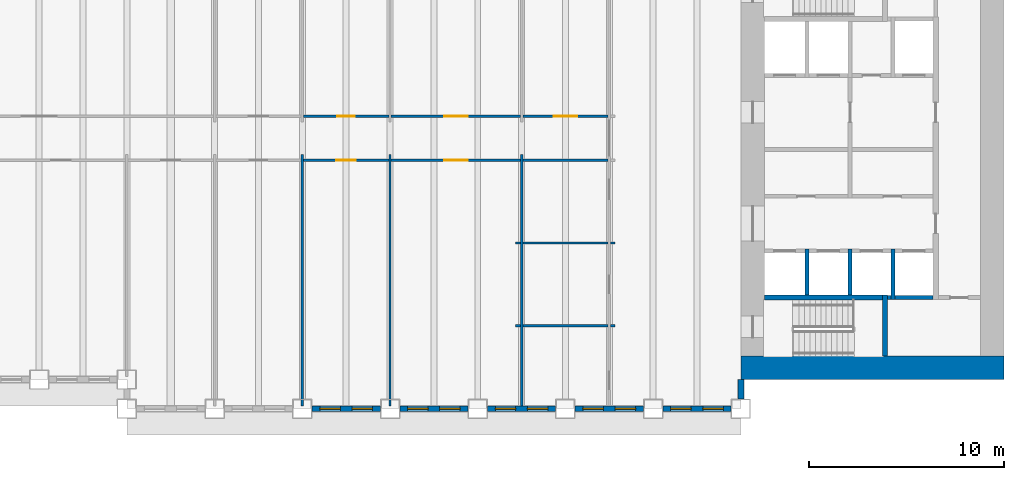
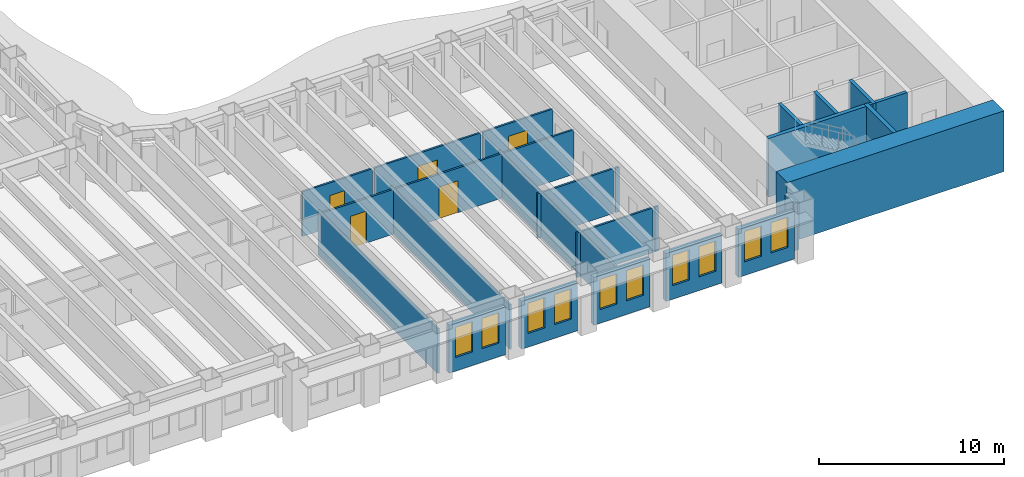
# One storey, part 5 of 16: 29 walls, 10 windows, 5 doors, 15 openings.
"""IFC4 building model written with IfcOpenShell, lengths in metres."""

from ifc_helpers import new_model, si_unit, direction, frame, frame_2d, origin, place, context, subcontext, project, spatial, rectangle, extrude, material, layer, layer_set, type_object, element, fill, save


model = new_model("IFC4")

# Units and contexts
model_context = context("Model", 3, precision=1e-05, world=origin(), true_north=direction((0.0, 1.0)))
body_context = subcontext(model_context, "Body", "Model", "MODEL_VIEW")
ifc_project = project(units=[si_unit("LENGTHUNIT", "METRE"), si_unit("AREAUNIT", "SQUARE_METRE"), si_unit("VOLUMEUNIT", "CUBIC_METRE"), si_unit("PLANEANGLEUNIT", "RADIAN"), si_unit("MASSUNIT", "GRAM", prefix="KILO")], contexts=[model_context])

# Site, building, storey
site_placement = place(None, origin())
site = spatial("IfcSite", under=ifc_project, at=site_placement, CompositionType="ELEMENT")
building_placement = place(site_placement, origin())
building = spatial("IfcBuilding", under=site, at=building_placement, Name="Sennacour Bend Tower", CompositionType="ELEMENT")
storey_placement = place(building_placement, frame((0.0, 0.0, 83.0)))
storey = spatial("IfcBuildingStorey", under=building, at=storey_placement, Name="L18", CompositionType="ELEMENT", Elevation=83.0)

# Walls
ifc_material_1 = material(Name="Concrete C80/95", Category="concrete")
ifc_layer_1 = layer(ifc_material_1, 1.199951171875, Name="Concrete C80/95", Category="concrete")
ifc_layer_set_1 = layer_set([ifc_layer_1], Name="Concrete C80/95")
wall_type_1 = type_object("IfcWallType", Name="Core wall 1200 C80/95", PredefinedType="SHEAR", material=ifc_layer_set_1)
wall_1_placement = place(storey_placement, frame((67.5, 0.60009765625, -0.14990234375), z_axis=(0.0, 0.0, 1.0), x_axis=(-1.0, 0.0, 0.0)))
element("IfcWall", 1, at=wall_1_placement, inside=storey, type_object=wall_type_1, Name="Core A wall L18 S", PredefinedType="SHEAR", context=body_context, shape_type="SweptSolid", body=[
    extrude(rectangle(XDim=13.5, YDim=1.199951171875, at=frame_2d((6.75, 0.0))), origin(), (0.0, 0.0, 1.0), 4.0),
])
ifc_material_2 = material(Name="Plasterboard partition on steel studs", Category="steel")
ifc_layer_2 = layer(ifc_material_2, 0.1201171875, Name="Plasterboard partition on steel studs", Category="steel")
ifc_layer_set_2 = layer_set([ifc_layer_2], Name="Plasterboard partition on steel studs")
wall_type_2 = type_object("IfcWallType", Name="Partition 120", PredefinedType="PARTITIONING", material=ifc_layer_set_2)
for number, where, z_axis, x_axis, name in (
    (2, (31.5, -1.35009765625, 0.0), (0.0, 0.0, 1.0), (0.0, 1.0, 0.0), "P-L18-W028a"),
    (3, (36.0, -1.35009765625, 0.0), (0.0, 0.0, 1.0), (0.0, 1.0, 0.0), "P-L18-W030a"),
    (4, (42.75, -1.35009765625, 0.0), (0.0, 0.0, 1.0), (0.0, 1.0, 0.0), "P-L18-W032a"),
):
    element("IfcWall", number, at=place(storey_placement, frame(where, z_axis=z_axis, x_axis=x_axis)), inside=storey, type_object=wall_type_2, Name=name, PredefinedType="PARTITIONING", context=body_context, shape_type="SweptSolid", body=[
        extrude(rectangle(XDim=12.900146484375, YDim=0.1201171875, at=frame_2d((6.4501953125, 0.0))), origin(), (0.0, 0.0, 1.0), 2.93798828125),
    ])
wall_2_placement = place(storey_placement, frame((42.449951171875, 2.75, 0.0), z_axis=(0.0, 0.0, 1.0), x_axis=(1.0, 0.0, 0.0)))
element("IfcWall", 5, at=wall_2_placement, inside=storey, type_object=wall_type_2, Name="P-L18-W049aa", PredefinedType="PARTITIONING", context=body_context, shape_type="SweptSolid", body=[
    extrude(rectangle(XDim=0.239990234375, YDim=0.1201171875, at=frame_2d((0.1201171875, 0.0))), origin(), (0.0, 0.0, 1.0), 2.93798828125),
])
wall_3_placement = place(storey_placement, frame((42.81005859375, 2.75, 0.0), z_axis=(0.0, 0.0, 1.0), x_axis=(1.0, 0.0, 0.0)))
element("IfcWall", 6, at=wall_3_placement, inside=storey, type_object=wall_type_2, Name="P-L18-W049ab", PredefinedType="PARTITIONING", context=body_context, shape_type="SweptSolid", body=[
    extrude(rectangle(XDim=4.3798828125, YDim=0.1201171875, at=frame_2d((2.18994140625, 0.0))), origin(), (0.0, 0.0, 1.0), 2.93798828125),
])
for number, where, z_axis, x_axis, name in (
    (7, (47.31005859375, 2.75, 0.0), (0.0, 0.0, 1.0), (1.0, 0.0, 0.0), "P-L18-W049ac"),
    (8, (42.449951171875, 7.0, 0.0), (0.0, 0.0, 1.0), (1.0, 0.0, 0.0), "P-L18-W056aa"),
):
    element("IfcWall", number, at=place(storey_placement, frame(where, z_axis=z_axis, x_axis=x_axis)), inside=storey, type_object=wall_type_2, Name=name, PredefinedType="PARTITIONING", context=body_context, shape_type="SweptSolid", body=[
        extrude(rectangle(XDim=0.239990234375, YDim=0.1201171875, at=frame_2d((0.1201171875, 0.0))), origin(), (0.0, 0.0, 1.0), 2.93798828125),
    ])
wall_4_placement = place(storey_placement, frame((42.81005859375, 7.0, 0.0), z_axis=(0.0, 0.0, 1.0), x_axis=(1.0, 0.0, 0.0)))
element("IfcWall", 9, at=wall_4_placement, inside=storey, type_object=wall_type_2, Name="P-L18-W056ab", PredefinedType="PARTITIONING", context=body_context, shape_type="SweptSolid", body=[
    extrude(rectangle(XDim=4.3798828125, YDim=0.1201171875, at=frame_2d((2.18994140625, 0.0))), origin(), (0.0, 0.0, 1.0), 2.93798828125),
])
wall_5_placement = place(storey_placement, frame((47.31005859375, 7.0, 0.0), z_axis=(0.0, 0.0, 1.0), x_axis=(1.0, 0.0, 0.0)))
element("IfcWall", 10, at=wall_5_placement, inside=storey, type_object=wall_type_2, Name="P-L18-W056ac", PredefinedType="PARTITIONING", context=body_context, shape_type="SweptSolid", body=[
    extrude(rectangle(XDim=0.239990234375, YDim=0.1201171875, at=frame_2d((0.1201171875, 0.0))), origin(), (0.0, 0.0, 1.0), 2.93798828125),
])

# Wall, opening, door
wall_6_placement = place(storey_placement, frame((31.56005859375, 11.25, 0.0), z_axis=(0.0, 0.0, 1.0), x_axis=(1.0, 0.0, 0.0)))
wall_6 = element("IfcWall", 11, at=wall_6_placement, inside=storey, type_object=wall_type_2, Name="P-L18-W058af", PredefinedType="PARTITIONING", context=body_context, shape_type="SweptSolid", body=[
    extrude(rectangle(XDim=4.3798828125, YDim=0.1201171875, at=frame_2d((2.18994140625, 0.0))), origin(), (0.0, 0.0, 1.0), 2.93798828125),
])
opening_1_placement = place(wall_6_placement, frame((1.68994140625, 0.0, 0.0)))
opening_1 = element("IfcOpeningElement", 12, at=opening_1_placement, cuts=wall_6, Name="Opening MD2", PredefinedType="OPENING", context=body_context, shape_type="SweptSolid", body=[
    extrude(rectangle(XDim=1.0, YDim=2.10009765625, at=frame_2d((0.5, 1.050048828125))), frame((0.0, 0.070068359375, 0.0), z_axis=(0.0, -1.0, 0.0), x_axis=(1.0, 0.0, 0.0)), (0.0, 0.0, 1.0), 0.14013671875),
])
ifc_material_3 = material(Name="Timber", Category="wood")
door_type_1 = type_object("IfcDoorType", Name="DR-MEETING-1000", OperationType="NOTDEFINED", PredefinedType="DOOR", material=ifc_material_3)
door_1_placement = place(opening_1_placement, origin())
door_1 = element("IfcDoor", 13, at=door_1_placement, inside=storey, type_object=door_type_1, Name="Door", OperationType="SINGLE_SWING_LEFT", OverallHeight=2.10009765625, OverallWidth=1.0, PredefinedType="DOOR", context=body_context, shape_type="SweptSolid", body=[
    extrude(rectangle(XDim=1.0, YDim=2.10009765625, at=frame_2d((0.5, 1.050048828125))), frame((0.0, 0.02490234375, 0.0), z_axis=(0.0, -1.0, 0.0), x_axis=(1.0, 0.0, 0.0)), (0.0, 0.0, 1.0), 0.050048828125),
])
fill(opening_1, door_1)

wall_7_placement = place(storey_placement, frame((36.06005859375, 11.25, 0.0), z_axis=(0.0, 0.0, 1.0), x_axis=(1.0, 0.0, 0.0)))
wall_7 = element("IfcWall", 14, at=wall_7_placement, inside=storey, type_object=wall_type_2, Name="P-L18-W058ag", PredefinedType="PARTITIONING", context=body_context, shape_type="SweptSolid", body=[
    extrude(rectangle(XDim=6.6298828125, YDim=0.1201171875, at=frame_2d((3.31494140625, 0.0))), origin(), (0.0, 0.0, 1.0), 2.93798828125),
])
opening_2_placement = place(wall_7_placement, frame((2.71484375, 0.0, 0.0)))
opening_2 = element("IfcOpeningElement", 15, at=opening_2_placement, cuts=wall_7, Name="Opening OD", PredefinedType="OPENING", context=body_context, shape_type="SweptSolid", body=[
    extrude(rectangle(XDim=1.199951171875, YDim=2.10009765625, at=frame_2d((0.60009765625, 1.050048828125))), frame((0.0, 0.070068359375, 0.0), z_axis=(0.0, -1.0, 0.0), x_axis=(1.0, 0.0, 0.0)), (0.0, 0.0, 1.0), 0.14013671875),
])
door_type_2 = type_object("IfcDoorType", Name="DR-OFFICE-1200", OperationType="NOTDEFINED", PredefinedType="DOOR", material=ifc_material_3)
door_2_placement = place(opening_2_placement, origin())
door_2 = element("IfcDoor", 16, at=door_2_placement, inside=storey, type_object=door_type_2, Name="Door", OperationType="SINGLE_SWING_LEFT", OverallHeight=2.10009765625, OverallWidth=1.199951171875, PredefinedType="DOOR", context=body_context, shape_type="SweptSolid", body=[
    extrude(rectangle(XDim=1.199951171875, YDim=2.10009765625, at=frame_2d((0.60009765625, 1.050048828125))), frame((0.0, 0.02490234375, 0.0), z_axis=(0.0, -1.0, 0.0), x_axis=(1.0, 0.0, 0.0)), (0.0, 0.0, 1.0), 0.050048828125),
])
fill(opening_2, door_2)

# Wall
wall_8_placement = place(storey_placement, frame((42.81005859375, 11.25, 0.0), z_axis=(0.0, 0.0, 1.0), x_axis=(1.0, 0.0, 0.0)))
element("IfcWall", 17, at=wall_8_placement, inside=storey, type_object=wall_type_2, Name="P-L18-W058ah", PredefinedType="PARTITIONING", context=body_context, shape_type="SweptSolid", body=[
    extrude(rectangle(XDim=4.3798828125, YDim=0.1201171875, at=frame_2d((2.18994140625, 0.0))), origin(), (0.0, 0.0, 1.0), 2.93798828125),
])

# Wall, opening, door
wall_9_placement = place(storey_placement, frame((36.06005859375, 13.5, 0.0), z_axis=(0.0, 0.0, 1.0), x_axis=(1.0, 0.0, 0.0)))
wall_9 = element("IfcWall", 18, at=wall_9_placement, inside=storey, type_object=wall_type_2, Name="P-L18-W060af", PredefinedType="PARTITIONING", context=body_context, shape_type="SweptSolid", body=[
    extrude(rectangle(XDim=6.6298828125, YDim=0.1201171875, at=frame_2d((3.31494140625, 0.0))), origin(), (0.0, 0.0, 1.0), 2.93798828125),
])
opening_3_placement = place(wall_9_placement, frame((2.71484375, 0.0, 0.0)))
opening_3 = element("IfcOpeningElement", 19, at=opening_3_placement, cuts=wall_9, Name="Opening MD", PredefinedType="OPENING", context=body_context, shape_type="SweptSolid", body=[
    extrude(rectangle(XDim=1.199951171875, YDim=2.10009765625, at=frame_2d((0.60009765625, 1.050048828125))), frame((0.0, 0.070068359375, 0.0), z_axis=(0.0, -1.0, 0.0), x_axis=(1.0, 0.0, 0.0)), (0.0, 0.0, 1.0), 0.14013671875),
])
door_type_3 = type_object("IfcDoorType", Name="DR-MEETING-1200", OperationType="NOTDEFINED", PredefinedType="DOOR", material=ifc_material_3)
door_3_placement = place(opening_3_placement, origin())
door_3 = element("IfcDoor", 20, at=door_3_placement, inside=storey, type_object=door_type_3, Name="Door", OperationType="SINGLE_SWING_LEFT", OverallHeight=2.10009765625, OverallWidth=1.199951171875, PredefinedType="DOOR", context=body_context, shape_type="SweptSolid", body=[
    extrude(rectangle(XDim=1.199951171875, YDim=2.10009765625, at=frame_2d((0.60009765625, 1.050048828125))), frame((0.0, 0.02490234375, 0.0), z_axis=(0.0, -1.0, 0.0), x_axis=(1.0, 0.0, 0.0)), (0.0, 0.0, 1.0), 0.050048828125),
])
fill(opening_3, door_3)

wall_10_placement = place(storey_placement, frame((42.81005859375, 13.5, 0.0), z_axis=(0.0, 0.0, 1.0), x_axis=(1.0, 0.0, 0.0)))
wall_10 = element("IfcWall", 21, at=wall_10_placement, inside=storey, type_object=wall_type_2, Name="P-L18-W060ag", PredefinedType="PARTITIONING", context=body_context, shape_type="SweptSolid", body=[
    extrude(rectangle(XDim=4.3798828125, YDim=0.1201171875, at=frame_2d((2.18994140625, 0.0))), origin(), (0.0, 0.0, 1.0), 2.93798828125),
])
opening_4_placement = place(wall_10_placement, frame((1.58984375, 0.0, 0.0)))
opening_4 = element("IfcOpeningElement", 22, at=opening_4_placement, cuts=wall_10, Name="Opening OD", PredefinedType="OPENING", context=body_context, shape_type="SweptSolid", body=[
    extrude(rectangle(XDim=1.199951171875, YDim=2.10009765625, at=frame_2d((0.60009765625, 1.050048828125))), frame((0.0, 0.070068359375, 0.0), z_axis=(0.0, -1.0, 0.0), x_axis=(1.0, 0.0, 0.0)), (0.0, 0.0, 1.0), 0.14013671875),
])
door_4_placement = place(opening_4_placement, origin())
door_4 = element("IfcDoor", 23, at=door_4_placement, inside=storey, type_object=door_type_2, Name="Door", OperationType="SINGLE_SWING_LEFT", OverallHeight=2.10009765625, OverallWidth=1.199951171875, PredefinedType="DOOR", context=body_context, shape_type="SweptSolid", body=[
    extrude(rectangle(XDim=1.199951171875, YDim=2.10009765625, at=frame_2d((0.60009765625, 1.050048828125))), frame((0.0, 0.02490234375, 0.0), z_axis=(0.0, -1.0, 0.0), x_axis=(1.0, 0.0, 0.0)), (0.0, 0.0, 1.0), 0.050048828125),
])
fill(opening_4, door_4)

ifc_layer_3 = layer(ifc_material_2, 0.1201171875, Name="Plasterboard partition on steel studs", Category="steel")
ifc_layer_set_3 = layer_set([ifc_layer_3], Name="Plasterboard partition on steel studs")
wall_type_3 = type_object("IfcWallType", Name="Partition 120 EI 60", PredefinedType="PARTITIONING", material=ifc_layer_set_3)
wall_11_placement = place(storey_placement, frame((31.56005859375, 13.5, 0.0), z_axis=(0.0, 0.0, 1.0), x_axis=(1.0, 0.0, 0.0)))
wall_11 = element("IfcWall", 24, at=wall_11_placement, inside=storey, type_object=wall_type_3, Name="P-L18-W060ae", PredefinedType="PARTITIONING", context=body_context, shape_type="SweptSolid", body=[
    extrude(rectangle(XDim=4.3798828125, YDim=0.1201171875, at=frame_2d((2.18994140625, 0.0))), origin(), (0.0, 0.0, 1.0), 2.93798828125),
])
opening_5_placement = place(wall_11_placement, frame((1.739990234375, 0.0, 0.0)))
opening_5 = element("IfcOpeningElement", 25, at=opening_5_placement, cuts=wall_11, Name="Opening SV", PredefinedType="OPENING", context=body_context, shape_type="SweptSolid", body=[
    extrude(rectangle(XDim=0.89990234375, YDim=2.10009765625, at=frame_2d((0.449951171875, 1.050048828125))), frame((0.0, 0.070068359375, 0.0), z_axis=(0.0, -1.0, 0.0), x_axis=(1.0, 0.0, 0.0)), (0.0, 0.0, 1.0), 0.14013671875),
])
ifc_material_4 = material(Name="Painted steel", Category="steel")
door_type_4 = type_object("IfcDoorType", Name="DR-SERVICE-900", OperationType="NOTDEFINED", PredefinedType="DOOR", material=ifc_material_4)
door_5_placement = place(opening_5_placement, origin())
door_5 = element("IfcDoor", 26, at=door_5_placement, inside=storey, type_object=door_type_4, Name="Door", OperationType="SINGLE_SWING_LEFT", OverallHeight=2.10009765625, OverallWidth=0.89990234375, PredefinedType="DOOR", context=body_context, shape_type="SweptSolid", body=[
    extrude(rectangle(XDim=0.89990234375, YDim=2.10009765625, at=frame_2d((0.449951171875, 1.050048828125))), frame((0.0, 0.02490234375, 0.0), z_axis=(0.0, -1.0, 0.0), x_axis=(1.0, 0.0, 0.0)), (0.0, 0.0, 1.0), 0.050048828125),
])
fill(opening_5, door_5)

# Wall, openings, windows
ifc_material_5 = material(Name="Warm limestone cladding", Category="masonry")
ifc_layer_4 = layer(ifc_material_5, 0.050048828125, Name="Warm limestone cladding", Category="masonry")
ifc_material_6 = material(Name="Precast concrete C40/50", Category="concrete")
ifc_layer_5 = layer(ifc_material_6, 0.25, Name="Precast concrete C40/50", Category="concrete")
ifc_layer_set_4 = layer_set([ifc_layer_4, ifc_layer_5], Name="Precast concrete C40/50 with limestone cladding")
wall_type_4 = type_object("IfcWallType", Name="STONE-CLAD PRECAST SPANDREL 300", PredefinedType="STANDARD", material=ifc_layer_set_4)
wall_12_placement = place(storey_placement, frame((32.0, -1.5, 0.0), z_axis=(0.0, 0.0, 1.0), x_axis=(1.0, 0.0, 0.0)))
wall_12 = element("IfcWall", 27, at=wall_12_placement, inside=storey, type_object=wall_type_4, Name="Stone spandrel and pier wall L18 00.02", PredefinedType="STANDARD", context=body_context, shape_type="SweptSolid", body=[
    extrude(rectangle(XDim=3.5, YDim=0.300048828125, at=frame_2d((1.75, 0.0))), origin(), (0.0, 0.0, 1.0), 3.154052734375),
])
opening_6_placement = place(wall_12_placement, frame((0.39990234375, 0.0, 0.89990234375)))
opening_6 = element("IfcOpeningElement", 28, at=opening_6_placement, cuts=wall_12, Name="Opening W13", PredefinedType="OPENING", context=body_context, shape_type="SweptSolid", body=[
    extrude(rectangle(XDim=1.050048828125, YDim=2.0, at=frame_2d((0.52490234375, 1.0))), frame((0.0, 0.16015625, 0.0), z_axis=(0.0, -1.0, 0.0), x_axis=(1.0, 0.0, 0.0)), (0.0, 0.0, 1.0), 0.320068359375),
])
opening_7_placement = place(wall_12_placement, frame((2.050048828125, 0.0, 0.89990234375)))
opening_7 = element("IfcOpeningElement", 29, at=opening_7_placement, cuts=wall_12, Name="Opening W13", PredefinedType="OPENING", context=body_context, shape_type="SweptSolid", body=[
    extrude(rectangle(XDim=1.050048828125, YDim=2.0, at=frame_2d((0.52490234375, 1.0))), frame((0.0, 0.16015625, 0.0), z_axis=(0.0, -1.0, 0.0), x_axis=(1.0, 0.0, 0.0)), (0.0, 0.0, 1.0), 0.320068359375),
])
ifc_material_7 = material(Name="Clear low-emissivity glass", Category="glass")
window_type = type_object("IfcWindowType", Name="WIN-RIBBON-1050x2000", PartitioningType="SINGLE_PANEL", PredefinedType="WINDOW", material=ifc_material_7)
window_1_placement = place(opening_6_placement, origin())
window_1 = element("IfcWindow", 30, at=window_1_placement, inside=storey, type_object=window_type, Name="Ribbon window L18 00.02.0", OverallHeight=2.0, OverallWidth=1.050048828125, PartitioningType="SINGLE_PANEL", PredefinedType="WINDOW", context=body_context, shape_type="SweptSolid", body=[
    extrude(rectangle(XDim=1.050048828125, YDim=2.0, at=frame_2d((0.52490234375, 1.0))), frame((0.0, 0.030029296875, 0.0), z_axis=(0.0, -1.0, 0.0), x_axis=(1.0, 0.0, 0.0)), (0.0, 0.0, 1.0), 0.06005859375),
])
fill(opening_6, window_1)
window_2_placement = place(opening_7_placement, origin())
window_2 = element("IfcWindow", 31, at=window_2_placement, inside=storey, type_object=window_type, Name="Ribbon window L18 00.02.1", OverallHeight=2.0, OverallWidth=1.050048828125, PartitioningType="SINGLE_PANEL", PredefinedType="WINDOW", context=body_context, shape_type="SweptSolid", body=[
    extrude(rectangle(XDim=1.050048828125, YDim=2.0, at=frame_2d((0.52490234375, 1.0))), frame((0.0, 0.030029296875, 0.0), z_axis=(0.0, -1.0, 0.0), x_axis=(1.0, 0.0, 0.0)), (0.0, 0.0, 1.0), 0.06005859375),
])
fill(opening_7, window_2)

wall_13_placement = place(storey_placement, frame((36.5, -1.5, 0.0), z_axis=(0.0, 0.0, 1.0), x_axis=(1.0, 0.0, 0.0)))
wall_13 = element("IfcWall", 32, at=wall_13_placement, inside=storey, type_object=wall_type_4, Name="Stone spandrel and pier wall L18 00.03", PredefinedType="STANDARD", context=body_context, shape_type="SweptSolid", body=[
    extrude(rectangle(XDim=3.5, YDim=0.300048828125, at=frame_2d((1.75, 0.0))), origin(), (0.0, 0.0, 1.0), 3.154052734375),
])
opening_8_placement = place(wall_13_placement, frame((0.39990234375, 0.0, 0.89990234375)))
opening_8 = element("IfcOpeningElement", 33, at=opening_8_placement, cuts=wall_13, Name="Opening W13", PredefinedType="OPENING", context=body_context, shape_type="SweptSolid", body=[
    extrude(rectangle(XDim=1.050048828125, YDim=2.0, at=frame_2d((0.52490234375, 1.0))), frame((0.0, 0.16015625, 0.0), z_axis=(0.0, -1.0, 0.0), x_axis=(1.0, 0.0, 0.0)), (0.0, 0.0, 1.0), 0.320068359375),
])
opening_9_placement = place(wall_13_placement, frame((2.050048828125, 0.0, 0.89990234375)))
opening_9 = element("IfcOpeningElement", 34, at=opening_9_placement, cuts=wall_13, Name="Opening W13", PredefinedType="OPENING", context=body_context, shape_type="SweptSolid", body=[
    extrude(rectangle(XDim=1.050048828125, YDim=2.0, at=frame_2d((0.52490234375, 1.0))), frame((0.0, 0.16015625, 0.0), z_axis=(0.0, -1.0, 0.0), x_axis=(1.0, 0.0, 0.0)), (0.0, 0.0, 1.0), 0.320068359375),
])
window_3_placement = place(opening_8_placement, origin())
window_3 = element("IfcWindow", 35, at=window_3_placement, inside=storey, type_object=window_type, Name="Ribbon window L18 00.03.0", OverallHeight=2.0, OverallWidth=1.050048828125, PartitioningType="SINGLE_PANEL", PredefinedType="WINDOW", context=body_context, shape_type="SweptSolid", body=[
    extrude(rectangle(XDim=1.050048828125, YDim=2.0, at=frame_2d((0.52490234375, 1.0))), frame((0.0, 0.030029296875, 0.0), z_axis=(0.0, -1.0, 0.0), x_axis=(1.0, 0.0, 0.0)), (0.0, 0.0, 1.0), 0.06005859375),
])
fill(opening_8, window_3)
window_4_placement = place(opening_9_placement, origin())
window_4 = element("IfcWindow", 36, at=window_4_placement, inside=storey, type_object=window_type, Name="Ribbon window L18 00.03.1", OverallHeight=2.0, OverallWidth=1.050048828125, PartitioningType="SINGLE_PANEL", PredefinedType="WINDOW", context=body_context, shape_type="SweptSolid", body=[
    extrude(rectangle(XDim=1.050048828125, YDim=2.0, at=frame_2d((0.52490234375, 1.0))), frame((0.0, 0.030029296875, 0.0), z_axis=(0.0, -1.0, 0.0), x_axis=(1.0, 0.0, 0.0)), (0.0, 0.0, 1.0), 0.06005859375),
])
fill(opening_9, window_4)

wall_14_placement = place(storey_placement, frame((41.0, -1.5, 0.0), z_axis=(0.0, 0.0, 1.0), x_axis=(1.0, 0.0, 0.0)))
wall_14 = element("IfcWall", 37, at=wall_14_placement, inside=storey, type_object=wall_type_4, Name="Stone spandrel and pier wall L18 00.04", PredefinedType="STANDARD", context=body_context, shape_type="SweptSolid", body=[
    extrude(rectangle(XDim=3.5, YDim=0.300048828125, at=frame_2d((1.75, 0.0))), origin(), (0.0, 0.0, 1.0), 3.154052734375),
])
opening_10_placement = place(wall_14_placement, frame((0.39990234375, 0.0, 0.89990234375)))
opening_10 = element("IfcOpeningElement", 38, at=opening_10_placement, cuts=wall_14, Name="Opening W13", PredefinedType="OPENING", context=body_context, shape_type="SweptSolid", body=[
    extrude(rectangle(XDim=1.050048828125, YDim=2.0, at=frame_2d((0.52490234375, 1.0))), frame((0.0, 0.16015625, 0.0), z_axis=(0.0, -1.0, 0.0), x_axis=(1.0, 0.0, 0.0)), (0.0, 0.0, 1.0), 0.320068359375),
])
opening_11_placement = place(wall_14_placement, frame((2.050048828125, 0.0, 0.89990234375)))
opening_11 = element("IfcOpeningElement", 39, at=opening_11_placement, cuts=wall_14, Name="Opening W13", PredefinedType="OPENING", context=body_context, shape_type="SweptSolid", body=[
    extrude(rectangle(XDim=1.050048828125, YDim=2.0, at=frame_2d((0.52490234375, 1.0))), frame((0.0, 0.16015625, 0.0), z_axis=(0.0, -1.0, 0.0), x_axis=(1.0, 0.0, 0.0)), (0.0, 0.0, 1.0), 0.320068359375),
])
window_5_placement = place(opening_10_placement, origin())
window_5 = element("IfcWindow", 40, at=window_5_placement, inside=storey, type_object=window_type, Name="Ribbon window L18 00.04.0", OverallHeight=2.0, OverallWidth=1.050048828125, PartitioningType="SINGLE_PANEL", PredefinedType="WINDOW", context=body_context, shape_type="SweptSolid", body=[
    extrude(rectangle(XDim=1.050048828125, YDim=2.0, at=frame_2d((0.52490234375, 1.0))), frame((0.0, 0.030029296875, 0.0), z_axis=(0.0, -1.0, 0.0), x_axis=(1.0, 0.0, 0.0)), (0.0, 0.0, 1.0), 0.06005859375),
])
fill(opening_10, window_5)
window_6_placement = place(opening_11_placement, origin())
window_6 = element("IfcWindow", 41, at=window_6_placement, inside=storey, type_object=window_type, Name="Ribbon window L18 00.04.1", OverallHeight=2.0, OverallWidth=1.050048828125, PartitioningType="SINGLE_PANEL", PredefinedType="WINDOW", context=body_context, shape_type="SweptSolid", body=[
    extrude(rectangle(XDim=1.050048828125, YDim=2.0, at=frame_2d((0.52490234375, 1.0))), frame((0.0, 0.030029296875, 0.0), z_axis=(0.0, -1.0, 0.0), x_axis=(1.0, 0.0, 0.0)), (0.0, 0.0, 1.0), 0.06005859375),
])
fill(opening_11, window_6)

wall_15_placement = place(storey_placement, frame((45.5, -1.5, 0.0), z_axis=(0.0, 0.0, 1.0), x_axis=(1.0, 0.0, 0.0)))
wall_15 = element("IfcWall", 42, at=wall_15_placement, inside=storey, type_object=wall_type_4, Name="Stone spandrel and pier wall L18 00.05", PredefinedType="STANDARD", context=body_context, shape_type="SweptSolid", body=[
    extrude(rectangle(XDim=3.5, YDim=0.300048828125, at=frame_2d((1.75, 0.0))), origin(), (0.0, 0.0, 1.0), 3.154052734375),
])
opening_12_placement = place(wall_15_placement, frame((0.39990234375, 0.0, 0.89990234375)))
opening_12 = element("IfcOpeningElement", 43, at=opening_12_placement, cuts=wall_15, Name="Opening W13", PredefinedType="OPENING", context=body_context, shape_type="SweptSolid", body=[
    extrude(rectangle(XDim=1.050048828125, YDim=2.0, at=frame_2d((0.52490234375, 1.0))), frame((0.0, 0.16015625, 0.0), z_axis=(0.0, -1.0, 0.0), x_axis=(1.0, 0.0, 0.0)), (0.0, 0.0, 1.0), 0.320068359375),
])
opening_13_placement = place(wall_15_placement, frame((2.050048828125, 0.0, 0.89990234375)))
opening_13 = element("IfcOpeningElement", 44, at=opening_13_placement, cuts=wall_15, Name="Opening W13", PredefinedType="OPENING", context=body_context, shape_type="SweptSolid", body=[
    extrude(rectangle(XDim=1.050048828125, YDim=2.0, at=frame_2d((0.52490234375, 1.0))), frame((0.0, 0.16015625, 0.0), z_axis=(0.0, -1.0, 0.0), x_axis=(1.0, 0.0, 0.0)), (0.0, 0.0, 1.0), 0.320068359375),
])
window_7_placement = place(opening_12_placement, origin())
window_7 = element("IfcWindow", 45, at=window_7_placement, inside=storey, type_object=window_type, Name="Ribbon window L18 00.05.0", OverallHeight=2.0, OverallWidth=1.050048828125, PartitioningType="SINGLE_PANEL", PredefinedType="WINDOW", context=body_context, shape_type="SweptSolid", body=[
    extrude(rectangle(XDim=1.050048828125, YDim=2.0, at=frame_2d((0.52490234375, 1.0))), frame((0.0, 0.030029296875, 0.0), z_axis=(0.0, -1.0, 0.0), x_axis=(1.0, 0.0, 0.0)), (0.0, 0.0, 1.0), 0.06005859375),
])
fill(opening_12, window_7)
window_8_placement = place(opening_13_placement, origin())
window_8 = element("IfcWindow", 46, at=window_8_placement, inside=storey, type_object=window_type, Name="Ribbon window L18 00.05.1", OverallHeight=2.0, OverallWidth=1.050048828125, PartitioningType="SINGLE_PANEL", PredefinedType="WINDOW", context=body_context, shape_type="SweptSolid", body=[
    extrude(rectangle(XDim=1.050048828125, YDim=2.0, at=frame_2d((0.52490234375, 1.0))), frame((0.0, 0.030029296875, 0.0), z_axis=(0.0, -1.0, 0.0), x_axis=(1.0, 0.0, 0.0)), (0.0, 0.0, 1.0), 0.06005859375),
])
fill(opening_13, window_8)

wall_16_placement = place(storey_placement, frame((50.0, -1.5, 0.0), z_axis=(0.0, 0.0, 1.0), x_axis=(1.0, 0.0, 0.0)))
wall_16 = element("IfcWall", 47, at=wall_16_placement, inside=storey, type_object=wall_type_4, Name="Stone spandrel and pier wall L18 00.06", PredefinedType="STANDARD", context=body_context, shape_type="SweptSolid", body=[
    extrude(rectangle(XDim=3.5, YDim=0.300048828125, at=frame_2d((1.75, 0.0))), origin(), (0.0, 0.0, 1.0), 3.154052734375),
])
opening_14_placement = place(wall_16_placement, frame((0.39990234375, 0.0, 0.89990234375)))
opening_14 = element("IfcOpeningElement", 48, at=opening_14_placement, cuts=wall_16, Name="Opening W13", PredefinedType="OPENING", context=body_context, shape_type="SweptSolid", body=[
    extrude(rectangle(XDim=1.050048828125, YDim=2.0, at=frame_2d((0.52490234375, 1.0))), frame((0.0, 0.16015625, 0.0), z_axis=(0.0, -1.0, 0.0), x_axis=(1.0, 0.0, 0.0)), (0.0, 0.0, 1.0), 0.320068359375),
])
opening_15_placement = place(wall_16_placement, frame((2.050048828125, 0.0, 0.89990234375)))
opening_15 = element("IfcOpeningElement", 49, at=opening_15_placement, cuts=wall_16, Name="Opening W13", PredefinedType="OPENING", context=body_context, shape_type="SweptSolid", body=[
    extrude(rectangle(XDim=1.050048828125, YDim=2.0, at=frame_2d((0.52490234375, 1.0))), frame((0.0, 0.16015625, 0.0), z_axis=(0.0, -1.0, 0.0), x_axis=(1.0, 0.0, 0.0)), (0.0, 0.0, 1.0), 0.320068359375),
])
window_9_placement = place(opening_14_placement, origin())
window_9 = element("IfcWindow", 50, at=window_9_placement, inside=storey, type_object=window_type, Name="Ribbon window L18 00.06.0", OverallHeight=2.0, OverallWidth=1.050048828125, PartitioningType="SINGLE_PANEL", PredefinedType="WINDOW", context=body_context, shape_type="SweptSolid", body=[
    extrude(rectangle(XDim=1.050048828125, YDim=2.0, at=frame_2d((0.52490234375, 1.0))), frame((0.0, 0.030029296875, 0.0), z_axis=(0.0, -1.0, 0.0), x_axis=(1.0, 0.0, 0.0)), (0.0, 0.0, 1.0), 0.06005859375),
])
fill(opening_14, window_9)
window_10_placement = place(opening_15_placement, origin())
window_10 = element("IfcWindow", 51, at=window_10_placement, inside=storey, type_object=window_type, Name="Ribbon window L18 00.06.1", OverallHeight=2.0, OverallWidth=1.050048828125, PartitioningType="SINGLE_PANEL", PredefinedType="WINDOW", context=body_context, shape_type="SweptSolid", body=[
    extrude(rectangle(XDim=1.050048828125, YDim=2.0, at=frame_2d((0.52490234375, 1.0))), frame((0.0, 0.030029296875, 0.0), z_axis=(0.0, -1.0, 0.0), x_axis=(1.0, 0.0, 0.0)), (0.0, 0.0, 1.0), 0.06005859375),
])
fill(opening_15, window_10)

# Walls
wall_17_placement = place(storey_placement, frame((54.0, -1.0, 0.0), z_axis=(0.0, 0.0, 1.0), x_axis=(0.0, 1.0, 0.0)))
element("IfcWall", 52, at=wall_17_placement, inside=storey, type_object=wall_type_4, Name="Stone spandrel and pier wall L18 01.00", PredefinedType="STANDARD", context=body_context, shape_type="SweptSolid", body=[
    extrude(rectangle(XDim=1.0, YDim=0.300048828125, at=frame_2d((0.5, 0.0))), origin(), (0.0, 0.0, 1.0), 3.154052734375),
])
ifc_material_8 = material(Name="Concrete C50/60", Category="concrete")
ifc_layer_6 = layer(ifc_material_8, 0.199951171875, Name="Concrete C50/60", Category="concrete")
ifc_layer_set_5 = layer_set([ifc_layer_6], Name="Concrete C50/60")
wall_type_5 = type_object("IfcWallType", Name="Shaft wall 200", PredefinedType="SOLIDWALL", material=ifc_layer_set_5)
for number, where, z_axis, x_axis, name in (
    (53, (57.39990234375, 4.324951171875, 0.0), (0.0, 0.0, 1.0), (0.0, 1.0, 0.0), "P-L18-W036"),
    (54, (59.60009765625, 4.324951171875, 0.0), (0.0, 0.0, 1.0), (0.0, 1.0, 0.0), "P-L18-W038"),
):
    element("IfcWall", number, at=place(storey_placement, frame(where, z_axis=z_axis, x_axis=x_axis)), inside=storey, type_object=wall_type_5, Name=name, PredefinedType="SOLIDWALL", context=body_context, shape_type="SweptSolid", body=[
        extrude(rectangle(XDim=2.375, YDim=0.199951171875, at=frame_2d((1.1875, 0.0))), origin(), (0.0, 0.0, 1.0), 3.85009765625),
    ])
wall_18_placement = place(storey_placement, frame((61.800048828125, 4.10009765625, 0.0), z_axis=(0.0, 0.0, 1.0), x_axis=(0.0, 1.0, 0.0)))
element("IfcWall", 55, at=wall_18_placement, inside=storey, type_object=wall_type_5, Name="P-L18-W043", PredefinedType="SOLIDWALL", context=body_context, shape_type="SweptSolid", body=[
    extrude(rectangle(XDim=2.599853515625, YDim=0.199951171875, at=frame_2d((1.2998046875, 0.0))), origin(), (0.0, 0.0, 1.0), 3.85009765625),
])
wall_19_placement = place(storey_placement, frame((61.52490234375, 4.199951171875, 0.0), z_axis=(0.0, 0.0, 1.0), x_axis=(1.0, 0.0, 0.0)))
element("IfcWall", 56, at=wall_19_placement, inside=storey, type_object=wall_type_5, Name="P-L18-W053a", PredefinedType="SOLIDWALL", context=body_context, shape_type="SweptSolid", body=[
    extrude(rectangle(XDim=0.175048828125, YDim=0.199951171875, at=frame_2d((0.08740234375, 0.0))), origin(), (0.0, 0.0, 1.0), 3.85009765625),
])
wall_20_placement = place(storey_placement, frame((61.89990234375, 4.199951171875, 0.0), z_axis=(0.0, 0.0, 1.0), x_axis=(1.0, 0.0, 0.0)))
element("IfcWall", 57, at=wall_20_placement, inside=storey, type_object=wall_type_5, Name="P-L18-W053b", PredefinedType="SOLIDWALL", context=body_context, shape_type="SweptSolid", body=[
    extrude(rectangle(XDim=1.9501953125, YDim=0.199951171875, at=frame_2d((0.97509765625, 0.0))), origin(), (0.0, 0.0, 1.0), 3.85009765625),
])
ifc_material_9 = material(Name="Concrete C60/75", Category="concrete")
ifc_layer_7 = layer(ifc_material_9, 0.25, Name="Concrete C60/75", Category="concrete")
ifc_layer_set_6 = layer_set([ifc_layer_7], Name="Concrete C60/75")
wall_type_6 = type_object("IfcWallType", Name="Stair wall 250", PredefinedType="SHEAR", material=ifc_layer_set_6)
wall_21_placement = place(storey_placement, frame((61.39990234375, 1.199951171875, 0.0), z_axis=(0.0, 0.0, 1.0), x_axis=(0.0, 1.0, 0.0)))
element("IfcWall", 58, at=wall_21_placement, inside=storey, type_object=wall_type_6, Name="P-L18-W041", PredefinedType="SHEAR", context=body_context, shape_type="SweptSolid", body=[
    extrude(rectangle(XDim=3.125, YDim=0.25, at=frame_2d((1.5625, 0.0))), origin(), (0.0, 0.0, 1.0), 3.85009765625),
])
wall_22_placement = place(storey_placement, frame((55.199951171875, 4.199951171875, 0.0), z_axis=(0.0, 0.0, 1.0), x_axis=(1.0, 0.0, 0.0)))
element("IfcWall", 59, at=wall_22_placement, inside=storey, type_object=wall_type_6, Name="P-L18-W052", PredefinedType="SHEAR", context=body_context, shape_type="SweptSolid", body=[
    extrude(rectangle(XDim=6.074951171875, YDim=0.25, at=frame_2d((3.03759765625, 0.0))), origin(), (0.0, 0.0, 1.0), 3.85009765625),
])

save(model, "model.ifc")
